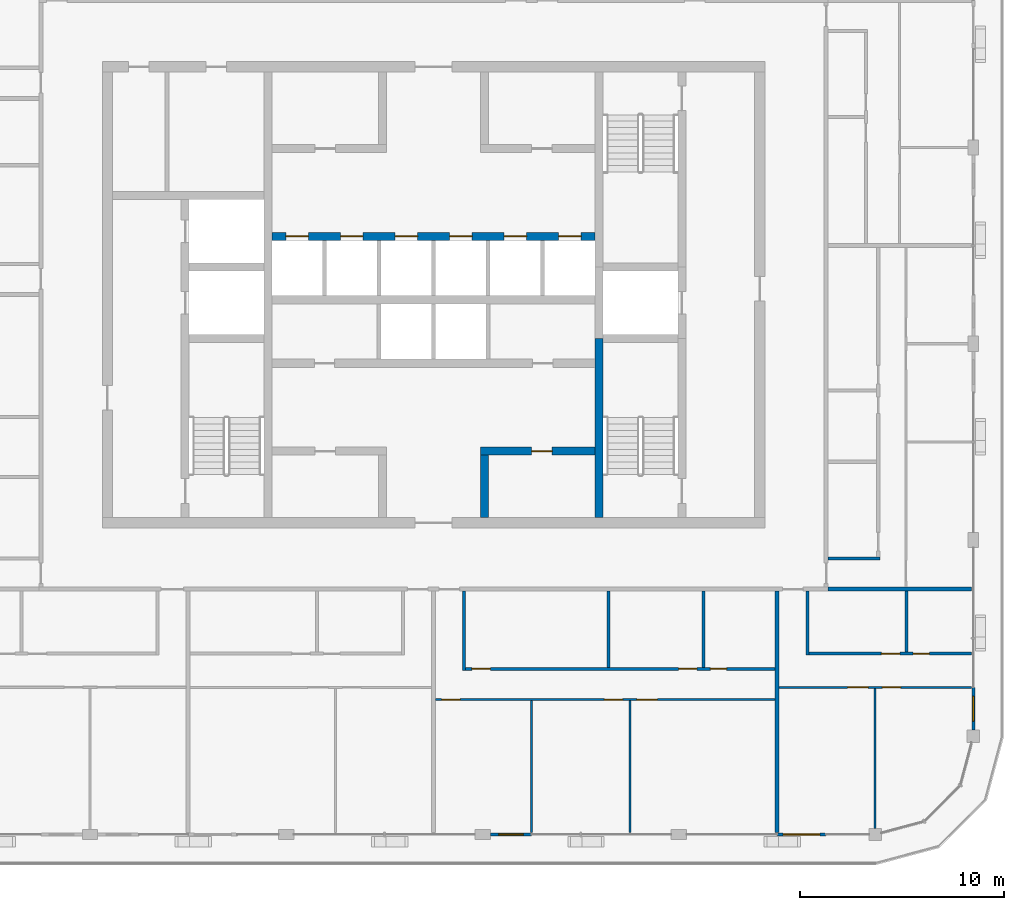
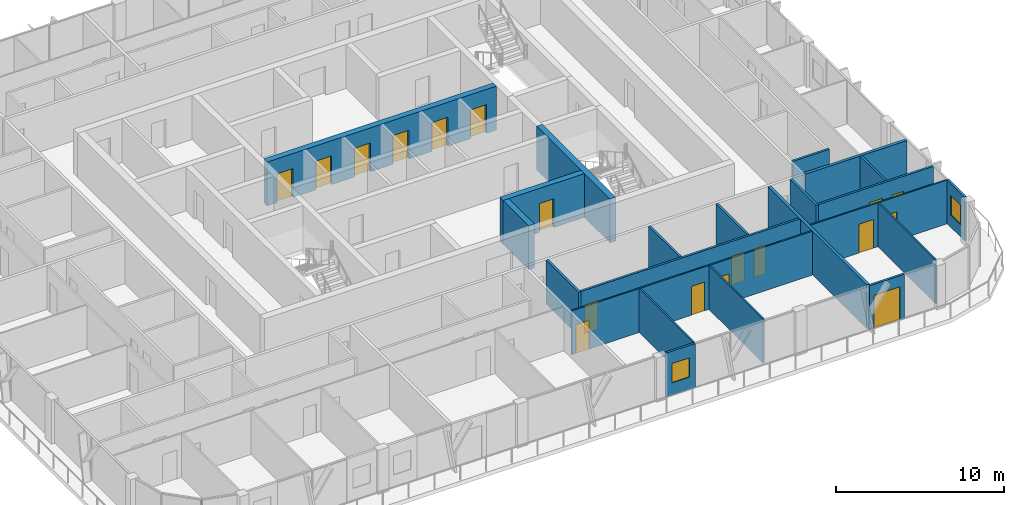
# One storey, part 11 of 21: 22 walls, 18 doors, 2 windows, 20 openings.
"""IFC4 building model written with IfcOpenShell, lengths in metres."""

from ifc_helpers import new_model, si_unit, direction, frame, frame_2d, origin, place, context, subcontext, project, spatial, rectangle, extrude, material, layer, layer_set, type_object, element, fill, save


model = new_model("IFC4")

# Units and contexts
model_context = context("Model", 3, precision=1e-05, world=origin(), true_north=direction((0.0, 1.0)))
body_context = subcontext(model_context, "Body", "Model", "MODEL_VIEW")
ifc_project = project(units=[si_unit("LENGTHUNIT", "METRE"), si_unit("AREAUNIT", "SQUARE_METRE"), si_unit("VOLUMEUNIT", "CUBIC_METRE"), si_unit("PLANEANGLEUNIT", "RADIAN"), si_unit("MASSUNIT", "GRAM", prefix="KILO")], contexts=[model_context])

# Site, building, storey
site_placement = place(None, origin())
site = spatial("IfcSite", under=ifc_project, at=site_placement, CompositionType="ELEMENT")
building_placement = place(site_placement, origin())
building = spatial("IfcBuilding", under=site, at=building_placement, Name="Madar Terraces", CompositionType="ELEMENT")
storey_placement = place(building_placement, frame((0.0, 0.0, 275.60009765625)))
storey = spatial("IfcBuildingStorey", under=building, at=storey_placement, Name="L72", CompositionType="ELEMENT", Elevation=275.60009765625)

# Wall
ifc_material_1 = material(Name="Concrete C50/60", Category="concrete")
ifc_layer_1 = layer(ifc_material_1, 0.39990234375)
ifc_layer_set_1 = layer_set([ifc_layer_1], Name="Concrete C50/60 (CIW6 RC wall 400)")
wall_type_1 = type_object("IfcWallType", Name="CIW6 RC wall 400", PredefinedType="SHEAR", material=ifc_layer_set_1)
wall_1_placement = place(storey_placement, frame((39.300048828125, 15.5, 0.0), z_axis=(0.0, 0.0, 1.0), x_axis=(0.0, 1.0, 0.0)))
element("IfcWall", 1, at=wall_1_placement, inside=storey, type_object=wall_type_1, Name="CORE SHAFT WALL", PredefinedType="SHEAR", context=body_context, shape_type="SweptSolid", body=[
    extrude(rectangle(XDim=8.75, YDim=0.39990234375, at=frame_2d((4.375, 0.0))), origin(), (0.0, 0.0, 1.0), 3.199951171875),
])

# Wall, opening, door
wall_2_placement = place(storey_placement, frame((33.5, 18.75, 0.0), z_axis=(0.0, 0.0, 1.0), x_axis=(1.0, 0.0, 0.0)))
wall_2 = element("IfcWall", 2, at=wall_2_placement, inside=storey, type_object=wall_type_1, Name="CORE SHAFT WALL", PredefinedType="SHEAR", context=body_context, shape_type="SweptSolid", body=[
    extrude(rectangle(XDim=5.60009765625, YDim=0.39990234375, at=frame_2d((2.800048828125, 0.0))), origin(), (0.0, 0.0, 1.0), 3.199951171875),
])
opening_1_placement = place(wall_2_placement, frame((2.5, 0.0, 0.0)))
opening_1 = element("IfcOpeningElement", 3, at=opening_1_placement, cuts=wall_2, Name="Opening KD2", PredefinedType="OPENING", context=body_context, shape_type="SweptSolid", body=[
    extrude(rectangle(XDim=1.0, YDim=2.10009765625, at=frame_2d((0.5, 1.050048828125))), frame((0.0, 0.2099609375, 0.0), z_axis=(0.0, -1.0, 0.0), x_axis=(1.0, 0.0, 0.0)), (0.0, 0.0, 1.0), 0.419921875),
])
ifc_material_2 = material(Name="Steel door leaf", Category="steel")
door_type_1 = type_object("IfcDoorType", Name="Service room door 1000 x 2100", OperationType="NOTDEFINED", PredefinedType="DOOR", material=ifc_material_2)
door_1_placement = place(opening_1_placement, origin())
door_1 = element("IfcDoor", 4, at=door_1_placement, inside=storey, type_object=door_type_1, Name="SERVICE ROOM DOOR", OperationType="SINGLE_SWING_RIGHT", OverallHeight=2.10009765625, OverallWidth=1.0, PredefinedType="DOOR", context=body_context, shape_type="SweptSolid", body=[
    extrude(rectangle(XDim=1.0, YDim=2.10009765625, at=frame_2d((0.5, 1.050048828125))), frame((0.0, 0.02490234375, 0.0), z_axis=(0.0, -1.0, 0.0), x_axis=(1.0, 0.0, 0.0)), (0.0, 0.0, 1.0), 0.050048828125),
])
fill(opening_1, door_1)

# Wall, openings, doors
wall_3_placement = place(storey_placement, frame((23.300048828125, 29.25, 0.0), z_axis=(0.0, 0.0, 1.0), x_axis=(1.0, 0.0, 0.0)))
wall_3 = element("IfcWall", 5, at=wall_3_placement, inside=storey, type_object=wall_type_1, Name="CORE SHAFT WALL", PredefinedType="SHEAR", context=body_context, shape_type="SweptSolid", body=[
    extrude(rectangle(XDim=15.800048828125, YDim=0.39990234375, at=frame_2d((7.89990234375, 0.0))), origin(), (0.0, 0.0, 1.0), 3.199951171875),
])
opening_2_placement = place(wall_3_placement, frame((0.683349609375, 0.0, 0.0)))
opening_2 = element("IfcOpeningElement", 6, at=opening_2_placement, cuts=wall_3, Name="Opening LD", PredefinedType="OPENING", context=body_context, shape_type="SweptSolid", body=[
    extrude(rectangle(XDim=1.10009765625, YDim=2.10009765625, at=frame_2d((0.550048828125, 1.050048828125))), frame((0.0, 0.2099609375, 0.0), z_axis=(0.0, -1.0, 0.0), x_axis=(1.0, 0.0, 0.0)), (0.0, 0.0, 1.0), 0.419921875),
])
opening_3_placement = place(wall_3_placement, frame((3.35009765625, 0.0, 0.0)))
opening_3 = element("IfcOpeningElement", 7, at=opening_3_placement, cuts=wall_3, Name="Opening LD", PredefinedType="OPENING", context=body_context, shape_type="SweptSolid", body=[
    extrude(rectangle(XDim=1.10009765625, YDim=2.10009765625, at=frame_2d((0.550048828125, 1.050048828125))), frame((0.0, 0.2099609375, 0.0), z_axis=(0.0, -1.0, 0.0), x_axis=(1.0, 0.0, 0.0)), (0.0, 0.0, 1.0), 0.419921875),
])
opening_4_placement = place(wall_3_placement, frame((6.0166015625, 0.0, 0.0)))
opening_4 = element("IfcOpeningElement", 8, at=opening_4_placement, cuts=wall_3, Name="Opening LD", PredefinedType="OPENING", context=body_context, shape_type="SweptSolid", body=[
    extrude(rectangle(XDim=1.10009765625, YDim=2.10009765625, at=frame_2d((0.550048828125, 1.050048828125))), frame((0.0, 0.2099609375, 0.0), z_axis=(0.0, -1.0, 0.0), x_axis=(1.0, 0.0, 0.0)), (0.0, 0.0, 1.0), 0.419921875),
])
opening_5_placement = place(wall_3_placement, frame((8.683349609375, 0.0, 0.0)))
opening_5 = element("IfcOpeningElement", 9, at=opening_5_placement, cuts=wall_3, Name="Opening LD", PredefinedType="OPENING", context=body_context, shape_type="SweptSolid", body=[
    extrude(rectangle(XDim=1.10009765625, YDim=2.10009765625, at=frame_2d((0.550048828125, 1.050048828125))), frame((0.0, 0.2099609375, 0.0), z_axis=(0.0, -1.0, 0.0), x_axis=(1.0, 0.0, 0.0)), (0.0, 0.0, 1.0), 0.419921875),
])
opening_6_placement = place(wall_3_placement, frame((11.35009765625, 0.0, 0.0)))
opening_6 = element("IfcOpeningElement", 10, at=opening_6_placement, cuts=wall_3, Name="Opening LD", PredefinedType="OPENING", context=body_context, shape_type="SweptSolid", body=[
    extrude(rectangle(XDim=1.10009765625, YDim=2.10009765625, at=frame_2d((0.550048828125, 1.050048828125))), frame((0.0, 0.2099609375, 0.0), z_axis=(0.0, -1.0, 0.0), x_axis=(1.0, 0.0, 0.0)), (0.0, 0.0, 1.0), 0.419921875),
])
opening_7_placement = place(wall_3_placement, frame((14.0166015625, 0.0, 0.0)))
opening_7 = element("IfcOpeningElement", 11, at=opening_7_placement, cuts=wall_3, Name="Opening LD", PredefinedType="OPENING", context=body_context, shape_type="SweptSolid", body=[
    extrude(rectangle(XDim=1.10009765625, YDim=2.10009765625, at=frame_2d((0.550048828125, 1.050048828125))), frame((0.0, 0.2099609375, 0.0), z_axis=(0.0, -1.0, 0.0), x_axis=(1.0, 0.0, 0.0)), (0.0, 0.0, 1.0), 0.419921875),
])
ifc_material_3 = material(Name="Stainless steel panel", Category="steel")
door_type_2 = type_object("IfcDoorType", Name="Lift landing door 1100 x 2100", OperationType="DOUBLE_DOOR_SLIDING", PredefinedType="DOOR", material=ifc_material_3)
door_2_placement = place(opening_2_placement, origin())
door_2 = element("IfcDoor", 12, at=door_2_placement, inside=storey, type_object=door_type_2, Name="LIFT LANDING DOOR", OperationType="DOUBLE_DOOR_SLIDING", OverallHeight=2.10009765625, OverallWidth=1.10009765625, PredefinedType="DOOR", context=body_context, shape_type="SweptSolid", body=[
    extrude(rectangle(XDim=1.10009765625, YDim=2.10009765625, at=frame_2d((0.550048828125, 1.050048828125))), frame((0.0, 0.02490234375, 0.0), z_axis=(0.0, -1.0, 0.0), x_axis=(1.0, 0.0, 0.0)), (0.0, 0.0, 1.0), 0.050048828125),
])
fill(opening_2, door_2)
door_3_placement = place(opening_3_placement, origin())
door_3 = element("IfcDoor", 13, at=door_3_placement, inside=storey, type_object=door_type_2, Name="LIFT LANDING DOOR", OperationType="DOUBLE_DOOR_SLIDING", OverallHeight=2.10009765625, OverallWidth=1.10009765625, PredefinedType="DOOR", context=body_context, shape_type="SweptSolid", body=[
    extrude(rectangle(XDim=1.10009765625, YDim=2.10009765625, at=frame_2d((0.550048828125, 1.050048828125))), frame((0.0, 0.02490234375, 0.0), z_axis=(0.0, -1.0, 0.0), x_axis=(1.0, 0.0, 0.0)), (0.0, 0.0, 1.0), 0.050048828125),
])
fill(opening_3, door_3)
door_4_placement = place(opening_4_placement, origin())
door_4 = element("IfcDoor", 14, at=door_4_placement, inside=storey, type_object=door_type_2, Name="LIFT LANDING DOOR", OperationType="DOUBLE_DOOR_SLIDING", OverallHeight=2.10009765625, OverallWidth=1.10009765625, PredefinedType="DOOR", context=body_context, shape_type="SweptSolid", body=[
    extrude(rectangle(XDim=1.10009765625, YDim=2.10009765625, at=frame_2d((0.550048828125, 1.050048828125))), frame((0.0, 0.02490234375, 0.0), z_axis=(0.0, -1.0, 0.0), x_axis=(1.0, 0.0, 0.0)), (0.0, 0.0, 1.0), 0.050048828125),
])
fill(opening_4, door_4)
door_5_placement = place(opening_5_placement, origin())
door_5 = element("IfcDoor", 15, at=door_5_placement, inside=storey, type_object=door_type_2, Name="LIFT LANDING DOOR", OperationType="DOUBLE_DOOR_SLIDING", OverallHeight=2.10009765625, OverallWidth=1.10009765625, PredefinedType="DOOR", context=body_context, shape_type="SweptSolid", body=[
    extrude(rectangle(XDim=1.10009765625, YDim=2.10009765625, at=frame_2d((0.550048828125, 1.050048828125))), frame((0.0, 0.02490234375, 0.0), z_axis=(0.0, -1.0, 0.0), x_axis=(1.0, 0.0, 0.0)), (0.0, 0.0, 1.0), 0.050048828125),
])
fill(opening_5, door_5)
door_6_placement = place(opening_6_placement, origin())
door_6 = element("IfcDoor", 16, at=door_6_placement, inside=storey, type_object=door_type_2, Name="LIFT LANDING DOOR", OperationType="DOUBLE_DOOR_SLIDING", OverallHeight=2.10009765625, OverallWidth=1.10009765625, PredefinedType="DOOR", context=body_context, shape_type="SweptSolid", body=[
    extrude(rectangle(XDim=1.10009765625, YDim=2.10009765625, at=frame_2d((0.550048828125, 1.050048828125))), frame((0.0, 0.02490234375, 0.0), z_axis=(0.0, -1.0, 0.0), x_axis=(1.0, 0.0, 0.0)), (0.0, 0.0, 1.0), 0.050048828125),
])
fill(opening_6, door_6)
door_7_placement = place(opening_7_placement, origin())
door_7 = element("IfcDoor", 17, at=door_7_placement, inside=storey, type_object=door_type_2, Name="LIFT LANDING DOOR", OperationType="DOUBLE_DOOR_SLIDING", OverallHeight=2.10009765625, OverallWidth=1.10009765625, PredefinedType="DOOR", context=body_context, shape_type="SweptSolid", body=[
    extrude(rectangle(XDim=1.10009765625, YDim=2.10009765625, at=frame_2d((0.550048828125, 1.050048828125))), frame((0.0, 0.02490234375, 0.0), z_axis=(0.0, -1.0, 0.0), x_axis=(1.0, 0.0, 0.0)), (0.0, 0.0, 1.0), 0.050048828125),
])
fill(opening_7, door_7)

# Wall
wall_4_placement = place(storey_placement, frame((33.699951171875, 15.5, 0.0), z_axis=(0.0, 0.0, 1.0), x_axis=(0.0, 1.0, 0.0)))
element("IfcWall", 18, at=wall_4_placement, inside=storey, type_object=wall_type_1, Name="CORE SHAFT WALL", PredefinedType="SHEAR", context=body_context, shape_type="SweptSolid", body=[
    extrude(rectangle(XDim=3.050048828125, YDim=0.39990234375, at=frame_2d((1.52490234375, 0.0))), origin(), (0.0, 0.0, 1.0), 3.199951171875),
])

# Wall, opening, window
ifc_material_4 = material(Name="Aluminium composite panel, black, over insulated backing", Category="aluminium")
ifc_layer_2 = layer(ifc_material_4, 0.14990234375)
ifc_layer_set_2 = layer_set([ifc_layer_2], Name="Facade bay panel 150")
wall_type_2 = type_object("IfcWallType", Name="Facade bay panel 150", PredefinedType="SOLIDWALL", material=ifc_layer_set_2)
wall_5_placement = place(storey_placement, frame((33.97509765625, 0.0, 0.0), z_axis=(0.0, 0.0, 1.0), x_axis=(1.0, 0.0, 0.0)))
wall_5 = element("IfcWall", 19, at=wall_5_placement, inside=storey, type_object=wall_type_2, Name="Facade bay panel", PredefinedType="SOLIDWALL", context=body_context, shape_type="SweptSolid", body=[
    extrude(rectangle(XDim=2.02490234375, YDim=0.14990234375, at=frame_2d((1.012451171875, 0.0))), origin(), (0.0, 0.0, 1.0), 3.199951171875),
])
opening_8_placement = place(wall_5_placement, frame((0.41259765625, 0.0, 0.89990234375)))
opening_8 = element("IfcOpeningElement", 20, at=opening_8_placement, cuts=wall_5, Name="Opening W1", PredefinedType="OPENING", context=body_context, shape_type="SweptSolid", body=[
    extrude(rectangle(XDim=1.199951171875, YDim=1.39990234375, at=frame_2d((0.60009765625, 0.699951171875))), frame((0.0, 0.0849609375, 0.0), z_axis=(0.0, -1.0, 0.0), x_axis=(1.0, 0.0, 0.0)), (0.0, 0.0, 1.0), 0.169921875),
])
ifc_material_5 = material(Name="Glass, clear, with black aluminium frame", Category="aluminium")
window_type = type_object("IfcWindowType", Name="Vent window 1200 x 1400", PartitioningType="SINGLE_PANEL", PredefinedType="WINDOW", material=ifc_material_5)
window_1_placement = place(opening_8_placement, origin())
window_1 = element("IfcWindow", 21, at=window_1_placement, inside=storey, type_object=window_type, Name="Operable vent window", OverallHeight=1.39990234375, OverallWidth=1.199951171875, PartitioningType="SINGLE_PANEL", PredefinedType="WINDOW", context=body_context, shape_type="SweptSolid", body=[
    extrude(rectangle(XDim=1.199951171875, YDim=1.39990234375, at=frame_2d((0.60009765625, 0.699951171875))), frame((0.0, 0.030029296875, 0.0), z_axis=(0.0, -1.0, 0.0), x_axis=(1.0, 0.0, 0.0)), (0.0, 0.0, 1.0), 0.06005859375),
])
fill(opening_8, window_1)

# Wall, opening, door
wall_6_placement = place(storey_placement, frame((48.0, 0.0, 0.0), z_axis=(0.0, 0.0, 1.0), x_axis=(1.0, 0.0, 0.0)))
wall_6 = element("IfcWall", 22, at=wall_6_placement, inside=storey, type_object=wall_type_2, Name="Facade bay panel", PredefinedType="SOLIDWALL", context=body_context, shape_type="SweptSolid", body=[
    extrude(rectangle(XDim=2.39990234375, YDim=0.14990234375, at=frame_2d((1.199951171875, 0.0))), origin(), (0.0, 0.0, 1.0), 3.199951171875),
])
opening_9_placement = place(wall_6_placement, frame((0.300048828125, 0.0, 0.0)))
opening_9 = element("IfcOpeningElement", 23, at=opening_9_placement, cuts=wall_6, Name="Opening ED1", PredefinedType="OPENING", context=body_context, shape_type="SweptSolid", body=[
    extrude(rectangle(XDim=1.800048828125, YDim=2.39990234375, at=frame_2d((0.89990234375, 1.199951171875))), frame((0.0, 0.0849609375, 0.0), z_axis=(0.0, -1.0, 0.0), x_axis=(1.0, 0.0, 0.0)), (0.0, 0.0, 1.0), 0.169921875),
])
ifc_material_6 = material(Name="Glass, clear, with black aluminium frame", Category="aluminium")
door_type_3 = type_object("IfcDoorType", Name="Balcony and terrace sliding door 1800 x 2400", OperationType="SLIDING_TO_LEFT", PredefinedType="DOOR", material=ifc_material_6)
door_8_placement = place(opening_9_placement, origin())
door_8 = element("IfcDoor", 24, at=door_8_placement, inside=storey, type_object=door_type_3, Name="Balcony door", OperationType="SLIDING_TO_RIGHT", OverallHeight=2.39990234375, OverallWidth=1.800048828125, PredefinedType="DOOR", context=body_context, shape_type="SweptSolid", body=[
    extrude(rectangle(XDim=1.800048828125, YDim=2.39990234375, at=frame_2d((0.89990234375, 1.199951171875))), frame((0.0, 0.02490234375, 0.0), z_axis=(0.0, -1.0, 0.0), x_axis=(1.0, 0.0, 0.0)), (0.0, 0.0, 1.0), 0.050048828125),
])
fill(opening_9, door_8)

# Wall, opening, window
wall_7_placement = place(storey_placement, frame((57.60009765625, 5.10009765625, 0.0), z_axis=(0.0, 0.0, 1.0), x_axis=(0.0, 1.0, 0.0)))
wall_7 = element("IfcWall", 25, at=wall_7_placement, inside=storey, type_object=wall_type_2, Name="Facade bay panel", PredefinedType="SOLIDWALL", context=body_context, shape_type="SweptSolid", body=[
    extrude(rectangle(XDim=2.099853515625, YDim=0.14990234375, at=frame_2d((1.0498046875, 0.0))), origin(), (0.0, 0.0, 1.0), 3.199951171875),
])
opening_10_placement = place(wall_7_placement, frame((0.449951171875, 0.0, 0.89990234375)))
opening_10 = element("IfcOpeningElement", 26, at=opening_10_placement, cuts=wall_7, Name="Opening W1", PredefinedType="OPENING", context=body_context, shape_type="SweptSolid", body=[
    extrude(rectangle(XDim=1.199951171875, YDim=1.39990234375, at=frame_2d((0.60009765625, 0.699951171875))), frame((0.0, 0.0849609375, 0.0), z_axis=(0.0, -1.0, 0.0), x_axis=(1.0, 0.0, 0.0)), (0.0, 0.0, 1.0), 0.169921875),
])
window_2_placement = place(opening_10_placement, origin())
window_2 = element("IfcWindow", 27, at=window_2_placement, inside=storey, type_object=window_type, Name="Operable vent window", OverallHeight=1.39990234375, OverallWidth=1.199951171875, PartitioningType="SINGLE_PANEL", PredefinedType="WINDOW", context=body_context, shape_type="SweptSolid", body=[
    extrude(rectangle(XDim=1.199951171875, YDim=1.39990234375, at=frame_2d((0.60009765625, 0.699951171875))), frame((0.0, 0.030029296875, 0.0), z_axis=(0.0, -1.0, 0.0), x_axis=(1.0, 0.0, 0.0)), (0.0, 0.0, 1.0), 0.06005859375),
])
fill(opening_10, window_2)

# Walls
ifc_material_7 = material(Name="Gypsum board on steel studs", Category="steel")
ifc_layer_3 = layer(ifc_material_7, 0.10009765625)
ifc_layer_set_3 = layer_set([ifc_layer_3], Name="Flat partition 100")
wall_type_3 = type_object("IfcWallType", Name="Flat partition 100", PredefinedType="PARTITIONING", material=ifc_layer_set_3)
for number, where, z_axis, x_axis, name in (
    (28, (36.0, 6.550048828125, 0.0), (0.0, 0.0, 1.0), (0.0, -1.0, 0.0), "Flat partition 100"),
    (29, (40.800048828125, 6.550048828125, 0.0), (0.0, 0.0, 1.0), (0.0, -1.0, 0.0), "Flat partition 100"),
):
    element("IfcWall", number, at=place(storey_placement, frame(where, z_axis=z_axis, x_axis=x_axis)), inside=storey, type_object=wall_type_3, Name=name, PredefinedType="PARTITIONING", context=body_context, shape_type="SweptSolid", body=[
        extrude(rectangle(XDim=6.449951171875, YDim=0.10009765625, at=frame_2d((3.22509765625, 0.0))), origin(), (0.0, 0.0, 1.0), 3.199951171875),
    ])

# Wall, openings, doors
wall_8_placement = place(storey_placement, frame((47.89990234375, 6.60009765625, 0.0), z_axis=(0.0, 0.0, 1.0), x_axis=(-1.0, 0.0, 0.0)))
wall_8 = element("IfcWall", 30, at=wall_8_placement, inside=storey, type_object=wall_type_3, Name="Flat partition 100", PredefinedType="PARTITIONING", context=body_context, shape_type="SweptSolid", body=[
    extrude(rectangle(XDim=16.599853515625, YDim=0.10009765625, at=frame_2d((8.2998046875, 0.0))), origin(), (0.0, 0.0, 1.0), 3.199951171875),
])
opening_11_placement = place(wall_8_placement, frame((15.39990234375, 0.0, 0.0)))
opening_11 = element("IfcOpeningElement", 31, at=opening_11_placement, cuts=wall_8, Name="Opening D2", PredefinedType="OPENING", context=body_context, shape_type="SweptSolid", body=[
    extrude(rectangle(XDim=0.89990234375, YDim=2.10009765625, at=frame_2d((0.449951171875, 1.050048828125))), frame((0.0, 0.06005859375, 0.0), z_axis=(0.0, -1.0, 0.0), x_axis=(1.0, 0.0, 0.0)), (0.0, 0.0, 1.0), 0.1201171875),
])
opening_12_placement = place(wall_8_placement, frame((7.449951171875, 0.0, 0.0)))
opening_12 = element("IfcOpeningElement", 32, at=opening_12_placement, cuts=wall_8, Name="Opening D2", PredefinedType="OPENING", context=body_context, shape_type="SweptSolid", body=[
    extrude(rectangle(XDim=0.89990234375, YDim=2.10009765625, at=frame_2d((0.449951171875, 1.050048828125))), frame((0.0, 0.06005859375, 0.0), z_axis=(0.0, -1.0, 0.0), x_axis=(1.0, 0.0, 0.0)), (0.0, 0.0, 1.0), 0.1201171875),
])
opening_13_placement = place(wall_8_placement, frame((5.75, 0.0, 0.0)))
opening_13 = element("IfcOpeningElement", 33, at=opening_13_placement, cuts=wall_8, Name="Opening D3", PredefinedType="OPENING", context=body_context, shape_type="SweptSolid", body=[
    extrude(rectangle(XDim=1.0, YDim=2.10009765625, at=frame_2d((0.5, 1.050048828125))), frame((0.0, 0.06005859375, 0.0), z_axis=(0.0, -1.0, 0.0), x_axis=(1.0, 0.0, 0.0)), (0.0, 0.0, 1.0), 0.1201171875),
])
ifc_material_8 = material(Name="Timber door leaf", Category="wood")
door_type_4 = type_object("IfcDoorType", Name="Flat living room door 1000", OperationType="NOTDEFINED", PredefinedType="DOOR", material=ifc_material_8)
door_9_placement = place(opening_13_placement, origin())
door_9 = element("IfcDoor", 34, at=door_9_placement, inside=storey, type_object=door_type_4, Name="Flat living room door 1000", OperationType="SINGLE_SWING_RIGHT", OverallHeight=2.10009765625, OverallWidth=1.0, PredefinedType="DOOR", context=body_context, shape_type="SweptSolid", body=[
    extrude(rectangle(XDim=1.0, YDim=2.10009765625, at=frame_2d((0.5, 1.050048828125))), frame((0.0, 0.02490234375, 0.0), z_axis=(0.0, -1.0, 0.0), x_axis=(1.0, 0.0, 0.0)), (0.0, 0.0, 1.0), 0.050048828125),
])
fill(opening_13, door_9)
ifc_material_9 = material(Name="Timber door leaf", Category="wood")
door_type_5 = type_object("IfcDoorType", Name="Flat room door 900", OperationType="NOTDEFINED", PredefinedType="DOOR", material=ifc_material_9)
door_10_placement = place(opening_11_placement, origin())
door_10 = element("IfcDoor", 35, at=door_10_placement, inside=storey, type_object=door_type_5, Name="Flat room door 900", OperationType="SINGLE_SWING_RIGHT", OverallHeight=2.10009765625, OverallWidth=0.89990234375, PredefinedType="DOOR", context=body_context, shape_type="SweptSolid", body=[
    extrude(rectangle(XDim=0.89990234375, YDim=2.10009765625, at=frame_2d((0.449951171875, 1.050048828125))), frame((0.0, 0.02490234375, 0.0), z_axis=(0.0, -1.0, 0.0), x_axis=(1.0, 0.0, 0.0)), (0.0, 0.0, 1.0), 0.050048828125),
])
fill(opening_11, door_10)
door_11_placement = place(opening_12_placement, origin())
door_11 = element("IfcDoor", 36, at=door_11_placement, inside=storey, type_object=door_type_5, Name="Flat room door 900", OperationType="SINGLE_SWING_LEFT", OverallHeight=2.10009765625, OverallWidth=0.89990234375, PredefinedType="DOOR", context=body_context, shape_type="SweptSolid", body=[
    extrude(rectangle(XDim=0.89990234375, YDim=2.10009765625, at=frame_2d((0.449951171875, 1.050048828125))), frame((0.0, 0.02490234375, 0.0), z_axis=(0.0, -1.0, 0.0), x_axis=(1.0, 0.0, 0.0)), (0.0, 0.0, 1.0), 0.050048828125),
])
fill(opening_12, door_11)

# Wall
wall_9_placement = place(storey_placement, frame((52.800048828125, 7.14990234375, 0.0), z_axis=(0.0, 0.0, 1.0), x_axis=(0.0, -1.0, 0.0)))
element("IfcWall", 37, at=wall_9_placement, inside=storey, type_object=wall_type_3, Name="Flat partition 100", PredefinedType="PARTITIONING", context=body_context, shape_type="SweptSolid", body=[
    extrude(rectangle(XDim=6.849853515625, YDim=0.10009765625, at=frame_2d((3.4248046875, 0.0))), origin(), (0.0, 0.0, 1.0), 3.199951171875),
])

# Wall, openings, doors
wall_10_placement = place(storey_placement, frame((57.5, 7.199951171875, 0.0), z_axis=(0.0, 0.0, 1.0), x_axis=(-1.0, 0.0, 0.0)))
wall_10 = element("IfcWall", 38, at=wall_10_placement, inside=storey, type_object=wall_type_3, Name="Flat partition 100", PredefinedType="PARTITIONING", context=body_context, shape_type="SweptSolid", body=[
    extrude(rectangle(XDim=9.39990234375, YDim=0.10009765625, at=frame_2d((4.699951171875, 0.0))), origin(), (0.0, 0.0, 1.0), 3.199951171875),
])
opening_14_placement = place(wall_10_placement, frame((5.050048828125, 0.0, 0.0)))
opening_14 = element("IfcOpeningElement", 39, at=opening_14_placement, cuts=wall_10, Name="Opening D3", PredefinedType="OPENING", context=body_context, shape_type="SweptSolid", body=[
    extrude(rectangle(XDim=1.0, YDim=2.10009765625, at=frame_2d((0.5, 1.050048828125))), frame((0.0, 0.06005859375, 0.0), z_axis=(0.0, -1.0, 0.0), x_axis=(1.0, 0.0, 0.0)), (0.0, 0.0, 1.0), 0.1201171875),
])
opening_15_placement = place(wall_10_placement, frame((3.449951171875, 0.0, 0.0)))
opening_15 = element("IfcOpeningElement", 40, at=opening_15_placement, cuts=wall_10, Name="Opening D2", PredefinedType="OPENING", context=body_context, shape_type="SweptSolid", body=[
    extrude(rectangle(XDim=0.89990234375, YDim=2.10009765625, at=frame_2d((0.449951171875, 1.050048828125))), frame((0.0, 0.06005859375, 0.0), z_axis=(0.0, -1.0, 0.0), x_axis=(1.0, 0.0, 0.0)), (0.0, 0.0, 1.0), 0.1201171875),
])
door_12_placement = place(opening_14_placement, origin())
door_12 = element("IfcDoor", 41, at=door_12_placement, inside=storey, type_object=door_type_4, Name="Flat living room door 1000", OperationType="SINGLE_SWING_LEFT", OverallHeight=2.10009765625, OverallWidth=1.0, PredefinedType="DOOR", context=body_context, shape_type="SweptSolid", body=[
    extrude(rectangle(XDim=1.0, YDim=2.10009765625, at=frame_2d((0.5, 1.050048828125))), frame((0.0, 0.02490234375, 0.0), z_axis=(0.0, -1.0, 0.0), x_axis=(1.0, 0.0, 0.0)), (0.0, 0.0, 1.0), 0.050048828125),
])
fill(opening_14, door_12)
door_13_placement = place(opening_15_placement, origin())
door_13 = element("IfcDoor", 42, at=door_13_placement, inside=storey, type_object=door_type_5, Name="Flat room door 900", OperationType="SINGLE_SWING_RIGHT", OverallHeight=2.10009765625, OverallWidth=0.89990234375, PredefinedType="DOOR", context=body_context, shape_type="SweptSolid", body=[
    extrude(rectangle(XDim=0.89990234375, YDim=2.10009765625, at=frame_2d((0.449951171875, 1.050048828125))), frame((0.0, 0.02490234375, 0.0), z_axis=(0.0, -1.0, 0.0), x_axis=(1.0, 0.0, 0.0)), (0.0, 0.0, 1.0), 0.050048828125),
])
fill(opening_15, door_13)

# Walls
ifc_material_10 = material(Name="Lightweight blockwork", Category="masonry")
ifc_layer_4 = layer(ifc_material_10, 0.199951171875)
ifc_layer_set_4 = layer_set([ifc_layer_4], Name="Flat party and entrance wall 200")
wall_type_4 = type_object("IfcWallType", Name="Flat party and entrance wall 200", PredefinedType="PARTITIONING", material=ifc_layer_set_4)
wall_11_placement = place(storey_placement, frame((48.0, 11.89990234375, 0.0), z_axis=(0.0, 0.0, 1.0), x_axis=(0.0, -1.0, 0.0)))
element("IfcWall", 43, at=wall_11_placement, inside=storey, type_object=wall_type_4, Name="Flat party and entrance wall 200", PredefinedType="PARTITIONING", context=body_context, shape_type="SweptSolid", body=[
    extrude(rectangle(XDim=11.7998046875, YDim=0.199951171875, at=frame_2d((5.89990234375, 0.0))), origin(), (0.0, 0.0, 1.0), 3.199951171875),
])
wall_12_placement = place(storey_placement, frame((50.5, 12.0, 0.0), z_axis=(0.0, 0.0, 1.0), x_axis=(1.0, 0.0, 0.0)))
element("IfcWall", 44, at=wall_12_placement, inside=storey, type_object=wall_type_4, Name="Flat party and entrance wall 200", PredefinedType="PARTITIONING", context=body_context, shape_type="SweptSolid", body=[
    extrude(rectangle(XDim=7.0, YDim=0.199951171875, at=frame_2d((3.5, 0.0))), origin(), (0.0, 0.0, 1.0), 3.199951171875),
])
ifc_material_11 = material(Name="Lightweight blockwork", Category="masonry")
ifc_layer_5 = layer(ifc_material_11, 0.14990234375)
ifc_layer_set_5 = layer_set([ifc_layer_5], Name="Flat wet-room partition 150")
wall_type_5 = type_object("IfcWallType", Name="Flat wet-room partition 150", PredefinedType="PARTITIONING", material=ifc_layer_set_5)
for number, where, z_axis, x_axis, name in (
    (45, (39.755859375, 11.89990234375, 0.0), (0.0, 0.0, 1.0), (0.0, -1.0, 0.0), "Flat wet-room partition 150"),
    (46, (44.40966796875, 11.89990234375, 0.0), (0.0, 0.0, 1.0), (0.0, -1.0, 0.0), "Flat wet-room partition 150"),
):
    element("IfcWall", number, at=place(storey_placement, frame(where, z_axis=z_axis, x_axis=x_axis)), inside=storey, type_object=wall_type_5, Name=name, PredefinedType="PARTITIONING", context=body_context, shape_type="SweptSolid", body=[
        extrude(rectangle(XDim=3.724853515625, YDim=0.14990234375, at=frame_2d((1.8623046875, 0.0))), origin(), (0.0, 0.0, 1.0), 3.199951171875),
    ])
wall_13_placement = place(storey_placement, frame((32.699951171875, 11.89990234375, 0.0), z_axis=(0.0, 0.0, 1.0), x_axis=(0.0, -1.0, 0.0)))
element("IfcWall", 47, at=wall_13_placement, inside=storey, type_object=wall_type_5, Name="Flat wet-room partition 150", PredefinedType="PARTITIONING", context=body_context, shape_type="SweptSolid", body=[
    extrude(rectangle(XDim=3.875, YDim=0.14990234375, at=frame_2d((1.9375, 0.0))), origin(), (0.0, 0.0, 1.0), 3.199951171875),
])

# Wall, openings, doors
wall_14_placement = place(storey_placement, frame((32.77490234375, 8.10009765625, 0.0), z_axis=(0.0, 0.0, 1.0), x_axis=(1.0, 0.0, 0.0)))
wall_14 = element("IfcWall", 48, at=wall_14_placement, inside=storey, type_object=wall_type_5, Name="Flat wet-room partition 150", PredefinedType="PARTITIONING", context=body_context, shape_type="SweptSolid", body=[
    extrude(rectangle(XDim=15.125, YDim=0.14990234375, at=frame_2d((7.5625, 0.0))), origin(), (0.0, 0.0, 1.0), 3.199951171875),
])
opening_16_placement = place(wall_14_placement, frame((0.300048828125, 0.0, 0.0)))
opening_16 = element("IfcOpeningElement", 49, at=opening_16_placement, cuts=wall_14, Name="Opening D2", PredefinedType="OPENING", context=body_context, shape_type="SweptSolid", body=[
    extrude(rectangle(XDim=0.89990234375, YDim=2.10009765625, at=frame_2d((0.449951171875, 1.050048828125))), frame((0.0, 0.0849609375, 0.0), z_axis=(0.0, -1.0, 0.0), x_axis=(1.0, 0.0, 0.0)), (0.0, 0.0, 1.0), 0.169921875),
])
opening_17_placement = place(wall_14_placement, frame((10.40966796875, 0.0, 0.0)))
opening_17 = element("IfcOpeningElement", 50, at=opening_17_placement, cuts=wall_14, Name="Opening D5", PredefinedType="OPENING", context=body_context, shape_type="SweptSolid", body=[
    extrude(rectangle(XDim=0.89990234375, YDim=2.10009765625, at=frame_2d((0.449951171875, 1.050048828125))), frame((0.0, 0.0849609375, 0.0), z_axis=(0.0, -1.0, 0.0), x_axis=(1.0, 0.0, 0.0)), (0.0, 0.0, 1.0), 0.169921875),
])
opening_18_placement = place(wall_14_placement, frame((11.959716796875, 0.0, 0.0)))
opening_18 = element("IfcOpeningElement", 51, at=opening_18_placement, cuts=wall_14, Name="Opening D4", PredefinedType="OPENING", context=body_context, shape_type="SweptSolid", body=[
    extrude(rectangle(XDim=0.800048828125, YDim=2.10009765625, at=frame_2d((0.39990234375, 1.050048828125))), frame((0.0, 0.0849609375, 0.0), z_axis=(0.0, -1.0, 0.0), x_axis=(1.0, 0.0, 0.0)), (0.0, 0.0, 1.0), 0.169921875),
])
ifc_material_12 = material(Name="Timber door leaf", Category="wood")
door_type_6 = type_object("IfcDoorType", Name="Flat accessible bathroom door 900", OperationType="NOTDEFINED", PredefinedType="DOOR", material=ifc_material_12)
door_14_placement = place(opening_17_placement, origin())
door_14 = element("IfcDoor", 52, at=door_14_placement, inside=storey, type_object=door_type_6, Name="Flat accessible bathroom door 900", OperationType="SINGLE_SWING_RIGHT", OverallHeight=2.10009765625, OverallWidth=0.89990234375, PredefinedType="DOOR", context=body_context, shape_type="SweptSolid", body=[
    extrude(rectangle(XDim=0.89990234375, YDim=2.10009765625, at=frame_2d((0.449951171875, 1.050048828125))), frame((0.0, 0.02490234375, 0.0), z_axis=(0.0, -1.0, 0.0), x_axis=(1.0, 0.0, 0.0)), (0.0, 0.0, 1.0), 0.050048828125),
])
fill(opening_17, door_14)
ifc_material_13 = material(Name="Timber door leaf", Category="wood")
door_type_7 = type_object("IfcDoorType", Name="Flat bathroom door 800", OperationType="NOTDEFINED", PredefinedType="DOOR", material=ifc_material_13)
door_15_placement = place(opening_18_placement, origin())
door_15 = element("IfcDoor", 53, at=door_15_placement, inside=storey, type_object=door_type_7, Name="Flat bathroom door 800", OperationType="SINGLE_SWING_LEFT", OverallHeight=2.10009765625, OverallWidth=0.800048828125, PredefinedType="DOOR", context=body_context, shape_type="SweptSolid", body=[
    extrude(rectangle(XDim=0.800048828125, YDim=2.10009765625, at=frame_2d((0.39990234375, 1.050048828125))), frame((0.0, 0.02490234375, 0.0), z_axis=(0.0, -1.0, 0.0), x_axis=(1.0, 0.0, 0.0)), (0.0, 0.0, 1.0), 0.050048828125),
])
fill(opening_18, door_15)
door_16_placement = place(opening_16_placement, origin())
door_16 = element("IfcDoor", 54, at=door_16_placement, inside=storey, type_object=door_type_5, Name="Flat room door 900", OperationType="SINGLE_SWING_LEFT", OverallHeight=2.10009765625, OverallWidth=0.89990234375, PredefinedType="DOOR", context=body_context, shape_type="SweptSolid", body=[
    extrude(rectangle(XDim=0.89990234375, YDim=2.10009765625, at=frame_2d((0.449951171875, 1.050048828125))), frame((0.0, 0.02490234375, 0.0), z_axis=(0.0, -1.0, 0.0), x_axis=(1.0, 0.0, 0.0)), (0.0, 0.0, 1.0), 0.050048828125),
])
fill(opening_16, door_16)

# Walls
wall_15_placement = place(storey_placement, frame((54.330078125, 11.89990234375, 0.0), z_axis=(0.0, 0.0, 1.0), x_axis=(0.0, -1.0, 0.0)))
element("IfcWall", 55, at=wall_15_placement, inside=storey, type_object=wall_type_5, Name="Flat wet-room partition 150", PredefinedType="PARTITIONING", context=body_context, shape_type="SweptSolid", body=[
    extrude(rectangle(XDim=2.974853515625, YDim=0.14990234375, at=frame_2d((1.4873046875, 0.0))), origin(), (0.0, 0.0, 1.0), 3.199951171875),
])
wall_16_placement = place(storey_placement, frame((49.5, 11.89990234375, 0.0), z_axis=(0.0, 0.0, 1.0), x_axis=(0.0, -1.0, 0.0)))
element("IfcWall", 56, at=wall_16_placement, inside=storey, type_object=wall_type_5, Name="Flat wet-room partition 150", PredefinedType="PARTITIONING", context=body_context, shape_type="SweptSolid", body=[
    extrude(rectangle(XDim=3.125, YDim=0.14990234375, at=frame_2d((1.5625, 0.0))), origin(), (0.0, 0.0, 1.0), 3.199951171875),
])

# Wall, openings, doors
wall_17_placement = place(storey_placement, frame((49.574951171875, 8.85009765625, 0.0), z_axis=(0.0, 0.0, 1.0), x_axis=(1.0, 0.0, 0.0)))
wall_17 = element("IfcWall", 57, at=wall_17_placement, inside=storey, type_object=wall_type_5, Name="Flat wet-room partition 150", PredefinedType="PARTITIONING", context=body_context, shape_type="SweptSolid", body=[
    extrude(rectangle(XDim=7.925048828125, YDim=0.14990234375, at=frame_2d((3.96240234375, 0.0))), origin(), (0.0, 0.0, 1.0), 3.199951171875),
])
opening_19_placement = place(wall_17_placement, frame((3.530029296875, 0.0, 0.0)))
opening_19 = element("IfcOpeningElement", 58, at=opening_19_placement, cuts=wall_17, Name="Opening D2", PredefinedType="OPENING", context=body_context, shape_type="SweptSolid", body=[
    extrude(rectangle(XDim=0.89990234375, YDim=2.10009765625, at=frame_2d((0.449951171875, 1.050048828125))), frame((0.0, 0.0849609375, 0.0), z_axis=(0.0, -1.0, 0.0), x_axis=(1.0, 0.0, 0.0)), (0.0, 0.0, 1.0), 0.169921875),
])
opening_20_placement = place(wall_17_placement, frame((5.080078125, 0.0, 0.0)))
opening_20 = element("IfcOpeningElement", 59, at=opening_20_placement, cuts=wall_17, Name="Opening D4", PredefinedType="OPENING", context=body_context, shape_type="SweptSolid", body=[
    extrude(rectangle(XDim=0.800048828125, YDim=2.10009765625, at=frame_2d((0.39990234375, 1.050048828125))), frame((0.0, 0.0849609375, 0.0), z_axis=(0.0, -1.0, 0.0), x_axis=(1.0, 0.0, 0.0)), (0.0, 0.0, 1.0), 0.169921875),
])
door_17_placement = place(opening_20_placement, origin())
door_17 = element("IfcDoor", 60, at=door_17_placement, inside=storey, type_object=door_type_7, Name="Flat bathroom door 800", OperationType="SINGLE_SWING_LEFT", OverallHeight=2.10009765625, OverallWidth=0.800048828125, PredefinedType="DOOR", context=body_context, shape_type="SweptSolid", body=[
    extrude(rectangle(XDim=0.800048828125, YDim=2.10009765625, at=frame_2d((0.39990234375, 1.050048828125))), frame((0.0, 0.02490234375, 0.0), z_axis=(0.0, -1.0, 0.0), x_axis=(1.0, 0.0, 0.0)), (0.0, 0.0, 1.0), 0.050048828125),
])
fill(opening_20, door_17)
door_18_placement = place(opening_19_placement, origin())
door_18 = element("IfcDoor", 61, at=door_18_placement, inside=storey, type_object=door_type_5, Name="Flat room door 900", OperationType="SINGLE_SWING_RIGHT", OverallHeight=2.10009765625, OverallWidth=0.89990234375, PredefinedType="DOOR", context=body_context, shape_type="SweptSolid", body=[
    extrude(rectangle(XDim=0.89990234375, YDim=2.10009765625, at=frame_2d((0.449951171875, 1.050048828125))), frame((0.0, 0.02490234375, 0.0), z_axis=(0.0, -1.0, 0.0), x_axis=(1.0, 0.0, 0.0)), (0.0, 0.0, 1.0), 0.050048828125),
])
fill(opening_19, door_18)

# Wall
wall_18_placement = place(storey_placement, frame((50.5, 13.5, 0.0), z_axis=(0.0, 0.0, 1.0), x_axis=(1.0, 0.0, 0.0)))
element("IfcWall", 62, at=wall_18_placement, inside=storey, type_object=wall_type_5, Name="Flat wet-room partition 150", PredefinedType="PARTITIONING", context=body_context, shape_type="SweptSolid", body=[
    extrude(rectangle(XDim=2.52490234375, YDim=0.14990234375, at=frame_2d((1.262451171875, 0.0))), origin(), (0.0, 0.0, 1.0), 3.199951171875),
])

save(model, "model.ifc")
